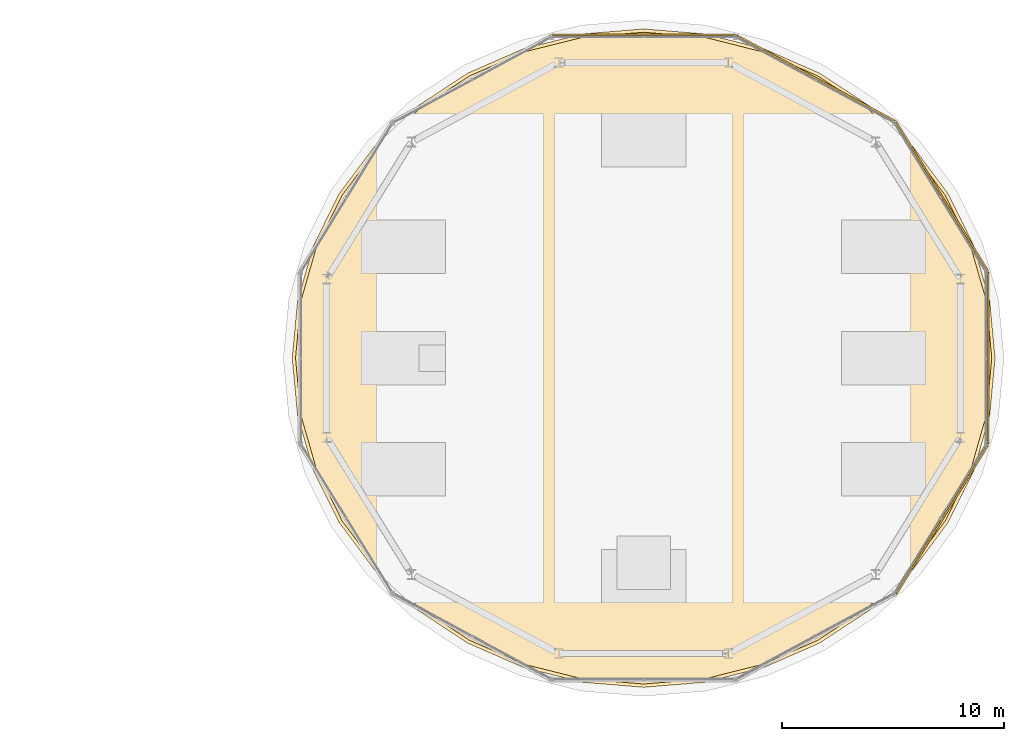
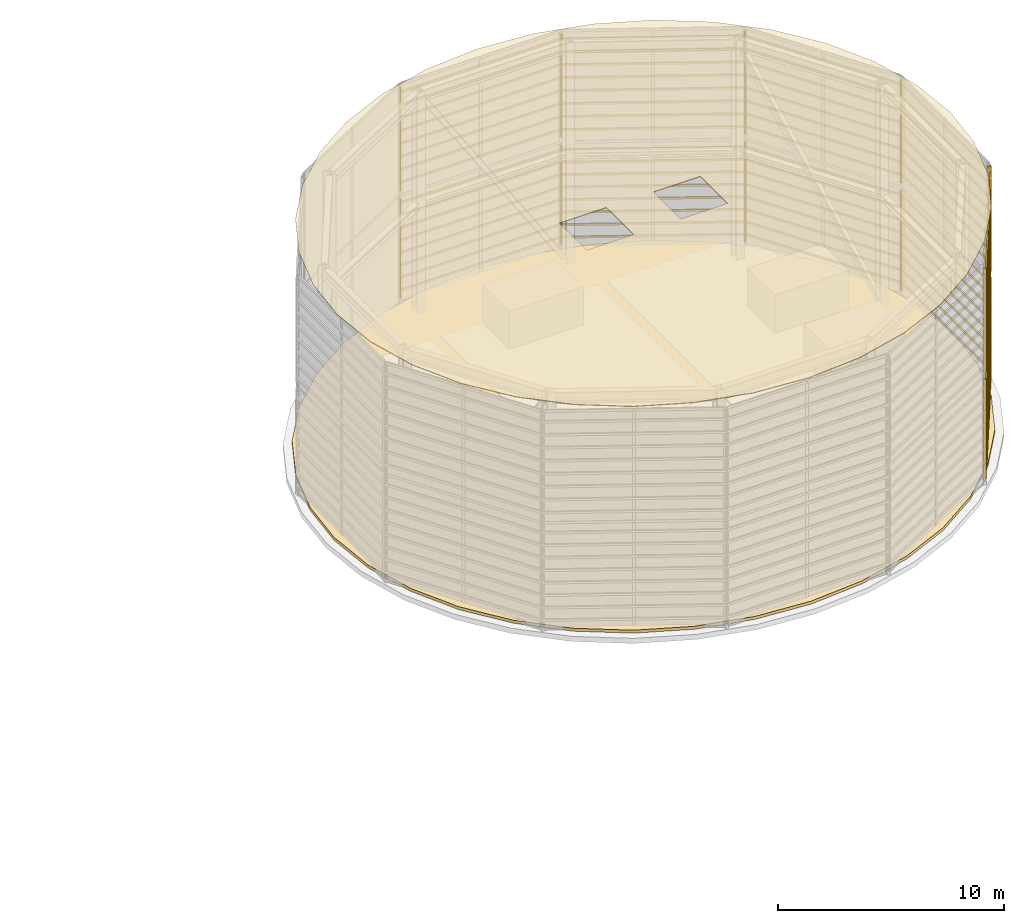
# One storey, part 16 of 17: 10 shading devices, 2 coverings.
"""IFC4 building model written with IfcOpenShell, lengths in metres."""

from ifc_helpers import new_model, si_unit, direction, frame, origin, origin_2d, place, context, subcontext, project, spatial, polyline, rectangle, outline, extrude, source, transform, mapped, material, layer, layer_set, type_object, type_shapes, element, save


model = new_model("IFC4")

# Units and contexts
model_context = context("Model", 3, precision=1e-05, world=origin(), true_north=direction((0.0, 1.0)))
body_context = subcontext(model_context, "Body", "Model", "MODEL_VIEW")
ifc_project = project(units=[si_unit("LENGTHUNIT", "METRE"), si_unit("AREAUNIT", "SQUARE_METRE"), si_unit("VOLUMEUNIT", "CUBIC_METRE"), si_unit("PLANEANGLEUNIT", "RADIAN"), si_unit("MASSUNIT", "GRAM", prefix="KILO")], contexts=[model_context])

# Site, building, storey
site_placement = place(None, origin())
site = spatial("IfcSite", under=ifc_project, at=site_placement, CompositionType="ELEMENT")
building_placement = place(site_placement, origin())
building = spatial("IfcBuilding", under=site, at=building_placement, Name="Norrkilde Senior Care Towers", CompositionType="ELEMENT")
storey_placement = place(building_placement, frame((0.0, 0.0, 249.85009765625)))
storey = spatial("IfcBuildingStorey", under=building, at=storey_placement, Name="RF", CompositionType="ELEMENT", Elevation=249.85009765625)

# Coverings
ifc_material_1 = material(Name="Architectural Terracotta", Category="masonry")
ifc_layer_1 = layer(ifc_material_1, 0.0400390625)
ifc_layer_set_1 = layer_set([ifc_layer_1], Name="Architectural Terracotta")
covering_type_1 = type_object("IfcCoveringType", Name="Glazed Terracotta Spandrel Cladding 40", PredefinedType="CLADDING", material=ifc_layer_set_1)
covering_1_placement = place(storey_placement, frame((0.0, 0.0, 12.10986328125)))
element("IfcCovering", 1, at=covering_1_placement, inside=storey, type_object=covering_type_1, Name="RF Drum E Crown Ring Top Cap Cladding", PredefinedType="CLADDING", context=body_context, shape_type="SweptSolid", body=[
    extrude(outline(polyline([(43.64990234375, 0.0), (43.412353515625, 2.5439453125), (42.706298828125, 5.010498046875), (41.55322265625, 7.324951171875), (39.988525390625, 9.416748046875), (38.0595703125, 11.22265625), (35.824951171875, 12.687255859375), (33.3525390625, 13.7666015625), (30.717529296875, 14.427490234375), (28.0, 14.64990234375), (25.282470703125, 14.427490234375), (22.6474609375, 13.7666015625), (20.175048828125, 12.687255859375), (17.9404296875, 11.22265625), (16.011474609375, 9.416748046875), (14.44677734375, 7.324951171875), (13.293701171875, 5.010498046875), (12.587646484375, 2.5439453125), (12.35009765625, 0.0), (12.587646484375, -2.5439453125), (13.293701171875, -5.010498046875), (14.44677734375, -7.324951171875), (16.011474609375, -9.416748046875), (17.9404296875, -11.22265625), (20.175048828125, -12.687255859375), (22.6474609375, -13.7666015625), (25.282470703125, -14.427490234375), (28.0, -14.64990234375), (30.717529296875, -14.427490234375), (33.3525390625, -13.7666015625), (35.824951171875, -12.687255859375), (38.0595703125, -11.22265625), (39.988525390625, -9.416748046875), (41.55322265625, -7.324951171875), (42.706298828125, -5.010498046875), (43.412353515625, -2.5439453125), (43.64990234375, 0.0)]), holes=[polyline([(24.39990234375, -1.199951171875), (26.800048828125, -1.199951171875), (26.800048828125, 1.199951171875), (24.39990234375, 1.199951171875), (24.39990234375, -1.199951171875)]), polyline([(29.199951171875, -1.199951171875), (31.60009765625, -1.199951171875), (31.60009765625, 1.199951171875), (29.199951171875, 1.199951171875), (29.199951171875, -1.199951171875)])]), origin(), (0.0, 0.0, 1.0), 0.0400390625),
])
ifc_material_2 = material(Name="EPDM Waterproofing and PIR Insulation")
ifc_layer_2 = layer(ifc_material_2, 0.159912109375)
ifc_layer_set_2 = layer_set([ifc_layer_2], Name="EPDM Waterproofing and PIR Insulation")
covering_type_2 = type_object("IfcCoveringType", Name="Insulated EPDM Roof Membrane 160", PredefinedType="ROOFING", material=ifc_layer_set_2)
covering_2_placement = place(storey_placement, origin())
element("IfcCovering", 2, at=covering_2_placement, inside=storey, type_object=covering_type_2, Name="RF Drum E Insulated Roof Membrane", PredefinedType="ROOFING", context=body_context, shape_type="SweptSolid", body=[
    extrude(outline(polyline([(43.79833984375, 0.0), (43.55908203125, -2.5654296875), (42.848388671875, -5.053466796875), (41.6875, -7.3896484375), (40.1103515625, -9.5029296875), (38.16455078125, -11.32861328125), (35.90869140625, -12.810791015625), (33.410888671875, -13.903564453125), (30.74755859375, -14.572998046875), (28.0, -14.798583984375), (25.25244140625, -14.572998046875), (22.589111328125, -13.903564453125), (20.09130859375, -12.810791015625), (17.83544921875, -11.32861328125), (15.8896484375, -9.5029296875), (14.3125, -7.3896484375), (13.151611328125, -5.053466796875), (12.44091796875, -2.5654296875), (12.20166015625, 0.0), (12.44091796875, 2.5654296875), (13.151611328125, 5.053466796875), (14.3125, 7.3896484375), (15.8896484375, 9.5029296875), (17.83544921875, 11.32861328125), (20.09130859375, 12.810791015625), (22.589111328125, 13.903564453125), (25.25244140625, 14.572998046875), (28.0, 14.798583984375), (30.74755859375, 14.572998046875), (33.410888671875, 13.903564453125), (35.90869140625, 12.810791015625), (38.16455078125, 11.32861328125), (40.1103515625, 9.5029296875), (41.6875, 7.3896484375), (42.848388671875, 5.053466796875), (43.55908203125, 2.5654296875), (43.79833984375, 0.0)])), origin(), (0.0, 0.0, 1.0), 0.159912109375),
])

# Shading devices
shading_device_type = type_object("IfcShadingDeviceType", Name="Horizontal Terracotta Baguette Rack", PredefinedType="USERDEFINED", material=ifc_material_1)
shared_shape_1 = source(origin(), body_context, "Body", "SweptSolid", [
    extrude(rectangle(XDim=0.070068359375, YDim=0.110107421875, at=origin_2d()), frame((0.0, 0.090087890625, 0.33740234375), z_axis=(1.0, 0.0, 0.0), x_axis=(0.0, 1.0, 0.0)), (0.0, 0.0, 1.0), 7.871337890625),
    extrude(rectangle(XDim=0.070068359375, YDim=0.110107421875, at=origin_2d()), frame((0.0, 0.090087890625, 1.012451171875), z_axis=(1.0, 0.0, 0.0), x_axis=(0.0, 1.0, 0.0)), (0.0, 0.0, 1.0), 7.871337890625),
    extrude(rectangle(XDim=0.070068359375, YDim=0.110107421875, at=origin_2d()), frame((0.0, 0.090087890625, 1.6875), z_axis=(1.0, 0.0, 0.0), x_axis=(0.0, 1.0, 0.0)), (0.0, 0.0, 1.0), 7.871337890625),
    extrude(rectangle(XDim=0.070068359375, YDim=0.110107421875, at=origin_2d()), frame((0.0, 0.090087890625, 2.362548828125), z_axis=(1.0, 0.0, 0.0), x_axis=(0.0, 1.0, 0.0)), (0.0, 0.0, 1.0), 7.871337890625),
    extrude(rectangle(XDim=0.070068359375, YDim=0.110107421875, at=origin_2d()), frame((0.0, 0.090087890625, 3.037353515625), z_axis=(1.0, 0.0, 0.0), x_axis=(0.0, 1.0, 0.0)), (0.0, 0.0, 1.0), 7.871337890625),
    extrude(rectangle(XDim=0.070068359375, YDim=0.110107421875, at=origin_2d()), frame((0.0, 0.090087890625, 3.71240234375), z_axis=(1.0, 0.0, 0.0), x_axis=(0.0, 1.0, 0.0)), (0.0, 0.0, 1.0), 7.871337890625),
    extrude(rectangle(XDim=0.070068359375, YDim=0.110107421875, at=origin_2d()), frame((0.0, 0.090087890625, 4.387451171875), z_axis=(1.0, 0.0, 0.0), x_axis=(0.0, 1.0, 0.0)), (0.0, 0.0, 1.0), 7.871337890625),
    extrude(rectangle(XDim=0.070068359375, YDim=0.110107421875, at=origin_2d()), frame((0.0, 0.090087890625, 5.0625), z_axis=(1.0, 0.0, 0.0), x_axis=(0.0, 1.0, 0.0)), (0.0, 0.0, 1.0), 7.871337890625),
    extrude(rectangle(XDim=0.050048828125, YDim=0.1552734375, at=origin_2d()), frame((0.02490234375, 0.047607421875, 0.0)), (0.0, 0.0, 1.0), 5.39990234375),
    extrude(rectangle(XDim=0.050048828125, YDim=0.1552734375, at=origin_2d()), frame((7.84619140625, 0.047607421875, 0.0)), (0.0, 0.0, 1.0), 5.39990234375),
])
for number, where, z_axis, x_axis, name in (
    (3, (39.2783203125, 10.5712890625, 0.25), (0.0, 0.0, 1.0), (0.524456437455, -0.851431407214, 0.0), "RF Ring Crown E Terracotta Baguette Tier 1 (00)"),
    (4, (43.406494140625, -3.869384765625, 0.25), (0.0, 0.0, 1.0), (-0.524456437455, -0.851431407214, 0.0), "RF Ring Crown E Terracotta Baguette Tier 1 (10)"),
):
    element("IfcShadingDevice", number, at=place(storey_placement, frame(where, z_axis=z_axis, x_axis=x_axis)), inside=storey, type_object=shading_device_type, Name=name, ObjectType="BAGUETTE", PredefinedType="USERDEFINED", context=body_context, shape_type="MappedRepresentation", body=[
        mapped(shared_shape_1, transform((0.0, 0.0, 0.0), x_axis=(1.0, 0.0, 0.0), y_axis=(0.0, 1.0, 0.0), z_axis=(0.0, 0.0, 1.0), scale=1.0)),
    ])
shared_shape_2 = source(origin(), body_context, "Body", "SweptSolid", [
    extrude(rectangle(XDim=0.070068359375, YDim=0.110107421875, at=origin_2d()), frame((0.0, 0.090087890625, 0.35009765625), z_axis=(1.0, 0.0, 0.0), x_axis=(0.0, 1.0, 0.0)), (0.0, 0.0, 1.0), 7.871337890625),
    extrude(rectangle(XDim=0.070068359375, YDim=0.110107421875, at=origin_2d()), frame((0.0, 0.090087890625, 1.050048828125), z_axis=(1.0, 0.0, 0.0), x_axis=(0.0, 1.0, 0.0)), (0.0, 0.0, 1.0), 7.871337890625),
    extrude(rectangle(XDim=0.070068359375, YDim=0.110107421875, at=origin_2d()), frame((0.0, 0.090087890625, 1.75), z_axis=(1.0, 0.0, 0.0), x_axis=(0.0, 1.0, 0.0)), (0.0, 0.0, 1.0), 7.871337890625),
    extrude(rectangle(XDim=0.070068359375, YDim=0.110107421875, at=origin_2d()), frame((0.0, 0.090087890625, 2.449951171875), z_axis=(1.0, 0.0, 0.0), x_axis=(0.0, 1.0, 0.0)), (0.0, 0.0, 1.0), 7.871337890625),
    extrude(rectangle(XDim=0.070068359375, YDim=0.110107421875, at=origin_2d()), frame((0.0, 0.090087890625, 3.150146484375), z_axis=(1.0, 0.0, 0.0), x_axis=(0.0, 1.0, 0.0)), (0.0, 0.0, 1.0), 7.871337890625),
    extrude(rectangle(XDim=0.070068359375, YDim=0.110107421875, at=origin_2d()), frame((0.0, 0.090087890625, 3.85009765625), z_axis=(1.0, 0.0, 0.0), x_axis=(0.0, 1.0, 0.0)), (0.0, 0.0, 1.0), 7.871337890625),
    extrude(rectangle(XDim=0.070068359375, YDim=0.110107421875, at=origin_2d()), frame((0.0, 0.090087890625, 4.550048828125), z_axis=(1.0, 0.0, 0.0), x_axis=(0.0, 1.0, 0.0)), (0.0, 0.0, 1.0), 7.871337890625),
    extrude(rectangle(XDim=0.070068359375, YDim=0.110107421875, at=origin_2d()), frame((0.0, 0.090087890625, 5.25), z_axis=(1.0, 0.0, 0.0), x_axis=(0.0, 1.0, 0.0)), (0.0, 0.0, 1.0), 7.871337890625),
    extrude(rectangle(XDim=0.050048828125, YDim=0.1552734375, at=origin_2d()), frame((0.02490234375, 0.047607421875, 0.0)), (0.0, 0.0, 1.0), 5.60009765625),
    extrude(rectangle(XDim=0.050048828125, YDim=0.1552734375, at=origin_2d()), frame((7.84619140625, 0.047607421875, 0.0)), (0.0, 0.0, 1.0), 5.60009765625),
])
for number, where, z_axis, x_axis, name in (
    (5, (39.2783203125, 10.5712890625, 6.0498046875), (0.0, 0.0, 1.0), (0.524456437455, -0.851431407214, 0.0), "RF Ring Crown E Terracotta Baguette Tier 2 (00)"),
    (6, (43.406494140625, -3.869384765625, 6.0498046875), (0.0, 0.0, 1.0), (-0.524456437455, -0.851431407214, 0.0), "RF Ring Crown E Terracotta Baguette Tier 2 (10)"),
):
    element("IfcShadingDevice", number, at=place(storey_placement, frame(where, z_axis=z_axis, x_axis=x_axis)), inside=storey, type_object=shading_device_type, Name=name, ObjectType="BAGUETTE", PredefinedType="USERDEFINED", context=body_context, shape_type="MappedRepresentation", body=[
        mapped(shared_shape_2, transform((0.0, 0.0, 0.0), x_axis=(1.0, 0.0, 0.0), y_axis=(0.0, 1.0, 0.0), z_axis=(0.0, 0.0, 1.0), scale=1.0)),
    ])
shared_shape_3 = source(origin(), body_context, "Body", "SweptSolid", [
    extrude(rectangle(XDim=0.070068359375, YDim=0.110107421875, at=origin_2d()), frame((0.0, 0.090087890625, 0.33740234375), z_axis=(1.0, 0.0, 0.0), x_axis=(0.0, 1.0, 0.0)), (0.0, 0.0, 1.0), 8.1298828125),
    extrude(rectangle(XDim=0.070068359375, YDim=0.110107421875, at=origin_2d()), frame((0.0, 0.090087890625, 1.012451171875), z_axis=(1.0, 0.0, 0.0), x_axis=(0.0, 1.0, 0.0)), (0.0, 0.0, 1.0), 8.1298828125),
    extrude(rectangle(XDim=0.070068359375, YDim=0.110107421875, at=origin_2d()), frame((0.0, 0.090087890625, 1.6875), z_axis=(1.0, 0.0, 0.0), x_axis=(0.0, 1.0, 0.0)), (0.0, 0.0, 1.0), 8.1298828125),
    extrude(rectangle(XDim=0.070068359375, YDim=0.110107421875, at=origin_2d()), frame((0.0, 0.090087890625, 2.362548828125), z_axis=(1.0, 0.0, 0.0), x_axis=(0.0, 1.0, 0.0)), (0.0, 0.0, 1.0), 8.1298828125),
    extrude(rectangle(XDim=0.070068359375, YDim=0.110107421875, at=origin_2d()), frame((0.0, 0.090087890625, 3.037353515625), z_axis=(1.0, 0.0, 0.0), x_axis=(0.0, 1.0, 0.0)), (0.0, 0.0, 1.0), 8.1298828125),
    extrude(rectangle(XDim=0.070068359375, YDim=0.110107421875, at=origin_2d()), frame((0.0, 0.090087890625, 3.71240234375), z_axis=(1.0, 0.0, 0.0), x_axis=(0.0, 1.0, 0.0)), (0.0, 0.0, 1.0), 8.1298828125),
    extrude(rectangle(XDim=0.070068359375, YDim=0.110107421875, at=origin_2d()), frame((0.0, 0.090087890625, 4.387451171875), z_axis=(1.0, 0.0, 0.0), x_axis=(0.0, 1.0, 0.0)), (0.0, 0.0, 1.0), 8.1298828125),
    extrude(rectangle(XDim=0.070068359375, YDim=0.110107421875, at=origin_2d()), frame((0.0, 0.090087890625, 5.0625), z_axis=(1.0, 0.0, 0.0), x_axis=(0.0, 1.0, 0.0)), (0.0, 0.0, 1.0), 8.1298828125),
    extrude(rectangle(XDim=0.050048828125, YDim=0.1552734375, at=origin_2d()), frame((0.02490234375, 0.047607421875, 0.0)), (0.0, 0.0, 1.0), 5.39990234375),
    extrude(rectangle(XDim=0.050048828125, YDim=0.1552734375, at=origin_2d()), frame((8.10498046875, 0.047607421875, 0.0)), (0.0, 0.0, 1.0), 5.39990234375),
])
shading_device_1_placement = place(storey_placement, frame((32.128173828125, 14.440673828125, 0.25), z_axis=(0.0, 0.0, 1.0), x_axis=(0.879489489489, -0.475945945946, 0.0)))
element("IfcShadingDevice", 7, at=shading_device_1_placement, inside=storey, type_object=shading_device_type, Name="RF Ring Crown E Terracotta Baguette Tier 1 (01)", ObjectType="BAGUETTE", PredefinedType="USERDEFINED", context=body_context, shape_type="MappedRepresentation", body=[
    mapped(shared_shape_3, transform((0.0, 0.0, 0.0), x_axis=(1.0, 0.0, 0.0), y_axis=(0.0, 1.0, 0.0), z_axis=(0.0, 0.0, 1.0), scale=1.0)),
])
shared_shape_4 = source(origin(), body_context, "Body", "SweptSolid", [
    extrude(rectangle(XDim=0.070068359375, YDim=0.110107421875, at=origin_2d()), frame((0.0, 0.090087890625, 0.35009765625), z_axis=(1.0, 0.0, 0.0), x_axis=(0.0, 1.0, 0.0)), (0.0, 0.0, 1.0), 8.1298828125),
    extrude(rectangle(XDim=0.070068359375, YDim=0.110107421875, at=origin_2d()), frame((0.0, 0.090087890625, 1.050048828125), z_axis=(1.0, 0.0, 0.0), x_axis=(0.0, 1.0, 0.0)), (0.0, 0.0, 1.0), 8.1298828125),
    extrude(rectangle(XDim=0.070068359375, YDim=0.110107421875, at=origin_2d()), frame((0.0, 0.090087890625, 1.75), z_axis=(1.0, 0.0, 0.0), x_axis=(0.0, 1.0, 0.0)), (0.0, 0.0, 1.0), 8.1298828125),
    extrude(rectangle(XDim=0.070068359375, YDim=0.110107421875, at=origin_2d()), frame((0.0, 0.090087890625, 2.449951171875), z_axis=(1.0, 0.0, 0.0), x_axis=(0.0, 1.0, 0.0)), (0.0, 0.0, 1.0), 8.1298828125),
    extrude(rectangle(XDim=0.070068359375, YDim=0.110107421875, at=origin_2d()), frame((0.0, 0.090087890625, 3.150146484375), z_axis=(1.0, 0.0, 0.0), x_axis=(0.0, 1.0, 0.0)), (0.0, 0.0, 1.0), 8.1298828125),
    extrude(rectangle(XDim=0.070068359375, YDim=0.110107421875, at=origin_2d()), frame((0.0, 0.090087890625, 3.85009765625), z_axis=(1.0, 0.0, 0.0), x_axis=(0.0, 1.0, 0.0)), (0.0, 0.0, 1.0), 8.1298828125),
    extrude(rectangle(XDim=0.070068359375, YDim=0.110107421875, at=origin_2d()), frame((0.0, 0.090087890625, 4.550048828125), z_axis=(1.0, 0.0, 0.0), x_axis=(0.0, 1.0, 0.0)), (0.0, 0.0, 1.0), 8.1298828125),
    extrude(rectangle(XDim=0.070068359375, YDim=0.110107421875, at=origin_2d()), frame((0.0, 0.090087890625, 5.25), z_axis=(1.0, 0.0, 0.0), x_axis=(0.0, 1.0, 0.0)), (0.0, 0.0, 1.0), 8.1298828125),
    extrude(rectangle(XDim=0.050048828125, YDim=0.1552734375, at=origin_2d()), frame((0.02490234375, 0.047607421875, 0.0)), (0.0, 0.0, 1.0), 5.60009765625),
    extrude(rectangle(XDim=0.050048828125, YDim=0.1552734375, at=origin_2d()), frame((8.10498046875, 0.047607421875, 0.0)), (0.0, 0.0, 1.0), 5.60009765625),
])
shading_device_2_placement = place(storey_placement, frame((32.128173828125, 14.440673828125, 6.0498046875), z_axis=(0.0, 0.0, 1.0), x_axis=(0.879489489489, -0.475945945946, 0.0)))
element("IfcShadingDevice", 8, at=shading_device_2_placement, inside=storey, type_object=shading_device_type, Name="RF Ring Crown E Terracotta Baguette Tier 2 (01)", ObjectType="BAGUETTE", PredefinedType="USERDEFINED", context=body_context, shape_type="MappedRepresentation", body=[
    mapped(shared_shape_4, transform((0.0, 0.0, 0.0), x_axis=(1.0, 0.0, 0.0), y_axis=(0.0, 1.0, 0.0), z_axis=(0.0, 0.0, 1.0), scale=1.0)),
])
shared_shape_5 = source(origin(), body_context, "Body", "SweptSolid", [
    extrude(rectangle(XDim=0.070068359375, YDim=0.110107421875, at=origin_2d()), frame((0.0, 0.090087890625, 0.33740234375), z_axis=(1.0, 0.0, 0.0), x_axis=(0.0, 1.0, 0.0)), (0.0, 0.0, 1.0), 8.25634765625),
    extrude(rectangle(XDim=0.070068359375, YDim=0.110107421875, at=origin_2d()), frame((0.0, 0.090087890625, 1.012451171875), z_axis=(1.0, 0.0, 0.0), x_axis=(0.0, 1.0, 0.0)), (0.0, 0.0, 1.0), 8.25634765625),
    extrude(rectangle(XDim=0.070068359375, YDim=0.110107421875, at=origin_2d()), frame((0.0, 0.090087890625, 1.6875), z_axis=(1.0, 0.0, 0.0), x_axis=(0.0, 1.0, 0.0)), (0.0, 0.0, 1.0), 8.25634765625),
    extrude(rectangle(XDim=0.070068359375, YDim=0.110107421875, at=origin_2d()), frame((0.0, 0.090087890625, 2.362548828125), z_axis=(1.0, 0.0, 0.0), x_axis=(0.0, 1.0, 0.0)), (0.0, 0.0, 1.0), 8.25634765625),
    extrude(rectangle(XDim=0.070068359375, YDim=0.110107421875, at=origin_2d()), frame((0.0, 0.090087890625, 3.037353515625), z_axis=(1.0, 0.0, 0.0), x_axis=(0.0, 1.0, 0.0)), (0.0, 0.0, 1.0), 8.25634765625),
    extrude(rectangle(XDim=0.070068359375, YDim=0.110107421875, at=origin_2d()), frame((0.0, 0.090087890625, 3.71240234375), z_axis=(1.0, 0.0, 0.0), x_axis=(0.0, 1.0, 0.0)), (0.0, 0.0, 1.0), 8.25634765625),
    extrude(rectangle(XDim=0.070068359375, YDim=0.110107421875, at=origin_2d()), frame((0.0, 0.090087890625, 4.387451171875), z_axis=(1.0, 0.0, 0.0), x_axis=(0.0, 1.0, 0.0)), (0.0, 0.0, 1.0), 8.25634765625),
    extrude(rectangle(XDim=0.070068359375, YDim=0.110107421875, at=origin_2d()), frame((0.0, 0.090087890625, 5.0625), z_axis=(1.0, 0.0, 0.0), x_axis=(0.0, 1.0, 0.0)), (0.0, 0.0, 1.0), 8.25634765625),
    extrude(rectangle(XDim=0.050048828125, YDim=0.1552734375, at=origin_2d()), frame((0.02490234375, 0.047607421875, 0.0)), (0.0, 0.0, 1.0), 5.39990234375),
    extrude(rectangle(XDim=0.050048828125, YDim=0.1552734375, at=origin_2d()), frame((8.2314453125, 0.047607421875, 0.0)), (0.0, 0.0, 1.0), 5.39990234375),
])
shading_device_3_placement = place(storey_placement, frame((23.871826171875, 14.440673828125, 0.25), z_axis=(0.0, 0.0, 1.0), x_axis=(1.0, 0.0, 0.0)))
element("IfcShadingDevice", 9, at=shading_device_3_placement, inside=storey, type_object=shading_device_type, Name="RF Ring Crown E Terracotta Baguette Tier 1 (02)", ObjectType="BAGUETTE", PredefinedType="USERDEFINED", context=body_context, shape_type="MappedRepresentation", body=[
    mapped(shared_shape_5, transform((0.0, 0.0, 0.0), x_axis=(1.0, 0.0, 0.0), y_axis=(0.0, 1.0, 0.0), z_axis=(0.0, 0.0, 1.0), scale=1.0)),
])
shared_shape_6 = source(origin(), body_context, "Body", "SweptSolid", [
    extrude(rectangle(XDim=0.070068359375, YDim=0.110107421875, at=origin_2d()), frame((0.0, 0.090087890625, 0.35009765625), z_axis=(1.0, 0.0, 0.0), x_axis=(0.0, 1.0, 0.0)), (0.0, 0.0, 1.0), 8.25634765625),
    extrude(rectangle(XDim=0.070068359375, YDim=0.110107421875, at=origin_2d()), frame((0.0, 0.090087890625, 1.050048828125), z_axis=(1.0, 0.0, 0.0), x_axis=(0.0, 1.0, 0.0)), (0.0, 0.0, 1.0), 8.25634765625),
    extrude(rectangle(XDim=0.070068359375, YDim=0.110107421875, at=origin_2d()), frame((0.0, 0.090087890625, 1.75), z_axis=(1.0, 0.0, 0.0), x_axis=(0.0, 1.0, 0.0)), (0.0, 0.0, 1.0), 8.25634765625),
    extrude(rectangle(XDim=0.070068359375, YDim=0.110107421875, at=origin_2d()), frame((0.0, 0.090087890625, 2.449951171875), z_axis=(1.0, 0.0, 0.0), x_axis=(0.0, 1.0, 0.0)), (0.0, 0.0, 1.0), 8.25634765625),
    extrude(rectangle(XDim=0.070068359375, YDim=0.110107421875, at=origin_2d()), frame((0.0, 0.090087890625, 3.150146484375), z_axis=(1.0, 0.0, 0.0), x_axis=(0.0, 1.0, 0.0)), (0.0, 0.0, 1.0), 8.25634765625),
    extrude(rectangle(XDim=0.070068359375, YDim=0.110107421875, at=origin_2d()), frame((0.0, 0.090087890625, 3.85009765625), z_axis=(1.0, 0.0, 0.0), x_axis=(0.0, 1.0, 0.0)), (0.0, 0.0, 1.0), 8.25634765625),
    extrude(rectangle(XDim=0.070068359375, YDim=0.110107421875, at=origin_2d()), frame((0.0, 0.090087890625, 4.550048828125), z_axis=(1.0, 0.0, 0.0), x_axis=(0.0, 1.0, 0.0)), (0.0, 0.0, 1.0), 8.25634765625),
    extrude(rectangle(XDim=0.070068359375, YDim=0.110107421875, at=origin_2d()), frame((0.0, 0.090087890625, 5.25), z_axis=(1.0, 0.0, 0.0), x_axis=(0.0, 1.0, 0.0)), (0.0, 0.0, 1.0), 8.25634765625),
    extrude(rectangle(XDim=0.050048828125, YDim=0.1552734375, at=origin_2d()), frame((0.02490234375, 0.047607421875, 0.0)), (0.0, 0.0, 1.0), 5.60009765625),
    extrude(rectangle(XDim=0.050048828125, YDim=0.1552734375, at=origin_2d()), frame((8.2314453125, 0.047607421875, 0.0)), (0.0, 0.0, 1.0), 5.60009765625),
])
shading_device_4_placement = place(storey_placement, frame((23.871826171875, 14.440673828125, 6.0498046875), z_axis=(0.0, 0.0, 1.0), x_axis=(1.0, 0.0, 0.0)))
element("IfcShadingDevice", 10, at=shading_device_4_placement, inside=storey, type_object=shading_device_type, Name="RF Ring Crown E Terracotta Baguette Tier 2 (02)", ObjectType="BAGUETTE", PredefinedType="USERDEFINED", context=body_context, shape_type="MappedRepresentation", body=[
    mapped(shared_shape_6, transform((0.0, 0.0, 0.0), x_axis=(1.0, 0.0, 0.0), y_axis=(0.0, 1.0, 0.0), z_axis=(0.0, 0.0, 1.0), scale=1.0)),
])
shared_shape_7 = source(origin(), body_context, "Body", "SweptSolid", [
    extrude(rectangle(XDim=0.070068359375, YDim=0.110107421875, at=origin_2d()), frame((0.0, 0.090087890625, 0.33740234375), z_axis=(1.0, 0.0, 0.0), x_axis=(0.0, 1.0, 0.0)), (0.0, 0.0, 1.0), 7.73876953125),
    extrude(rectangle(XDim=0.070068359375, YDim=0.110107421875, at=origin_2d()), frame((0.0, 0.090087890625, 1.012451171875), z_axis=(1.0, 0.0, 0.0), x_axis=(0.0, 1.0, 0.0)), (0.0, 0.0, 1.0), 7.73876953125),
    extrude(rectangle(XDim=0.070068359375, YDim=0.110107421875, at=origin_2d()), frame((0.0, 0.090087890625, 1.6875), z_axis=(1.0, 0.0, 0.0), x_axis=(0.0, 1.0, 0.0)), (0.0, 0.0, 1.0), 7.73876953125),
    extrude(rectangle(XDim=0.070068359375, YDim=0.110107421875, at=origin_2d()), frame((0.0, 0.090087890625, 2.362548828125), z_axis=(1.0, 0.0, 0.0), x_axis=(0.0, 1.0, 0.0)), (0.0, 0.0, 1.0), 7.73876953125),
    extrude(rectangle(XDim=0.070068359375, YDim=0.110107421875, at=origin_2d()), frame((0.0, 0.090087890625, 3.037353515625), z_axis=(1.0, 0.0, 0.0), x_axis=(0.0, 1.0, 0.0)), (0.0, 0.0, 1.0), 7.73876953125),
    extrude(rectangle(XDim=0.070068359375, YDim=0.110107421875, at=origin_2d()), frame((0.0, 0.090087890625, 3.71240234375), z_axis=(1.0, 0.0, 0.0), x_axis=(0.0, 1.0, 0.0)), (0.0, 0.0, 1.0), 7.73876953125),
    extrude(rectangle(XDim=0.070068359375, YDim=0.110107421875, at=origin_2d()), frame((0.0, 0.090087890625, 4.387451171875), z_axis=(1.0, 0.0, 0.0), x_axis=(0.0, 1.0, 0.0)), (0.0, 0.0, 1.0), 7.73876953125),
    extrude(rectangle(XDim=0.070068359375, YDim=0.110107421875, at=origin_2d()), frame((0.0, 0.090087890625, 5.0625), z_axis=(1.0, 0.0, 0.0), x_axis=(0.0, 1.0, 0.0)), (0.0, 0.0, 1.0), 7.73876953125),
    extrude(rectangle(XDim=0.050048828125, YDim=0.1552734375, at=origin_2d()), frame((0.02490234375, 0.047607421875, 0.0)), (0.0, 0.0, 1.0), 5.39990234375),
    extrude(rectangle(XDim=0.050048828125, YDim=0.1552734375, at=origin_2d()), frame((7.7138671875, 0.047607421875, 0.0)), (0.0, 0.0, 1.0), 5.39990234375),
])
shading_device_5_placement = place(storey_placement, frame((43.406494140625, 3.869384765625, 0.25), z_axis=(0.0, 0.0, 1.0), x_axis=(0.0, -1.0, 0.0)))
element("IfcShadingDevice", 11, at=shading_device_5_placement, inside=storey, type_object=shading_device_type, Name="RF Ring Crown E Terracotta Baguette Tier 1 (11)", ObjectType="BAGUETTE", PredefinedType="USERDEFINED", context=body_context, shape_type="MappedRepresentation", body=[
    mapped(shared_shape_7, transform((0.0, 0.0, 0.0), x_axis=(1.0, 0.0, 0.0), y_axis=(0.0, 1.0, 0.0), z_axis=(0.0, 0.0, 1.0), scale=1.0)),
])
shared_shape_8 = source(origin(), body_context, "Body", "SweptSolid", [
    extrude(rectangle(XDim=0.070068359375, YDim=0.110107421875, at=origin_2d()), frame((0.0, 0.090087890625, 0.35009765625), z_axis=(1.0, 0.0, 0.0), x_axis=(0.0, 1.0, 0.0)), (0.0, 0.0, 1.0), 7.73876953125),
    extrude(rectangle(XDim=0.070068359375, YDim=0.110107421875, at=origin_2d()), frame((0.0, 0.090087890625, 1.050048828125), z_axis=(1.0, 0.0, 0.0), x_axis=(0.0, 1.0, 0.0)), (0.0, 0.0, 1.0), 7.73876953125),
    extrude(rectangle(XDim=0.070068359375, YDim=0.110107421875, at=origin_2d()), frame((0.0, 0.090087890625, 1.75), z_axis=(1.0, 0.0, 0.0), x_axis=(0.0, 1.0, 0.0)), (0.0, 0.0, 1.0), 7.73876953125),
    extrude(rectangle(XDim=0.070068359375, YDim=0.110107421875, at=origin_2d()), frame((0.0, 0.090087890625, 2.449951171875), z_axis=(1.0, 0.0, 0.0), x_axis=(0.0, 1.0, 0.0)), (0.0, 0.0, 1.0), 7.73876953125),
    extrude(rectangle(XDim=0.070068359375, YDim=0.110107421875, at=origin_2d()), frame((0.0, 0.090087890625, 3.150146484375), z_axis=(1.0, 0.0, 0.0), x_axis=(0.0, 1.0, 0.0)), (0.0, 0.0, 1.0), 7.73876953125),
    extrude(rectangle(XDim=0.070068359375, YDim=0.110107421875, at=origin_2d()), frame((0.0, 0.090087890625, 3.85009765625), z_axis=(1.0, 0.0, 0.0), x_axis=(0.0, 1.0, 0.0)), (0.0, 0.0, 1.0), 7.73876953125),
    extrude(rectangle(XDim=0.070068359375, YDim=0.110107421875, at=origin_2d()), frame((0.0, 0.090087890625, 4.550048828125), z_axis=(1.0, 0.0, 0.0), x_axis=(0.0, 1.0, 0.0)), (0.0, 0.0, 1.0), 7.73876953125),
    extrude(rectangle(XDim=0.070068359375, YDim=0.110107421875, at=origin_2d()), frame((0.0, 0.090087890625, 5.25), z_axis=(1.0, 0.0, 0.0), x_axis=(0.0, 1.0, 0.0)), (0.0, 0.0, 1.0), 7.73876953125),
    extrude(rectangle(XDim=0.050048828125, YDim=0.1552734375, at=origin_2d()), frame((0.02490234375, 0.047607421875, 0.0)), (0.0, 0.0, 1.0), 5.60009765625),
    extrude(rectangle(XDim=0.050048828125, YDim=0.1552734375, at=origin_2d()), frame((7.7138671875, 0.047607421875, 0.0)), (0.0, 0.0, 1.0), 5.60009765625),
])
type_shapes(shading_device_type, [shared_shape_1, shared_shape_2, shared_shape_3, shared_shape_4, shared_shape_5, shared_shape_6, shared_shape_7, shared_shape_8])
shading_device_6_placement = place(storey_placement, frame((43.406494140625, 3.869384765625, 6.0498046875), z_axis=(0.0, 0.0, 1.0), x_axis=(0.0, -1.0, 0.0)))
element("IfcShadingDevice", 12, at=shading_device_6_placement, inside=storey, type_object=shading_device_type, Name="RF Ring Crown E Terracotta Baguette Tier 2 (11)", ObjectType="BAGUETTE", PredefinedType="USERDEFINED", context=body_context, shape_type="MappedRepresentation", body=[
    mapped(shared_shape_8, transform((0.0, 0.0, 0.0), x_axis=(1.0, 0.0, 0.0), y_axis=(0.0, 1.0, 0.0), z_axis=(0.0, 0.0, 1.0), scale=1.0)),
])

save(model, "model.ifc")
